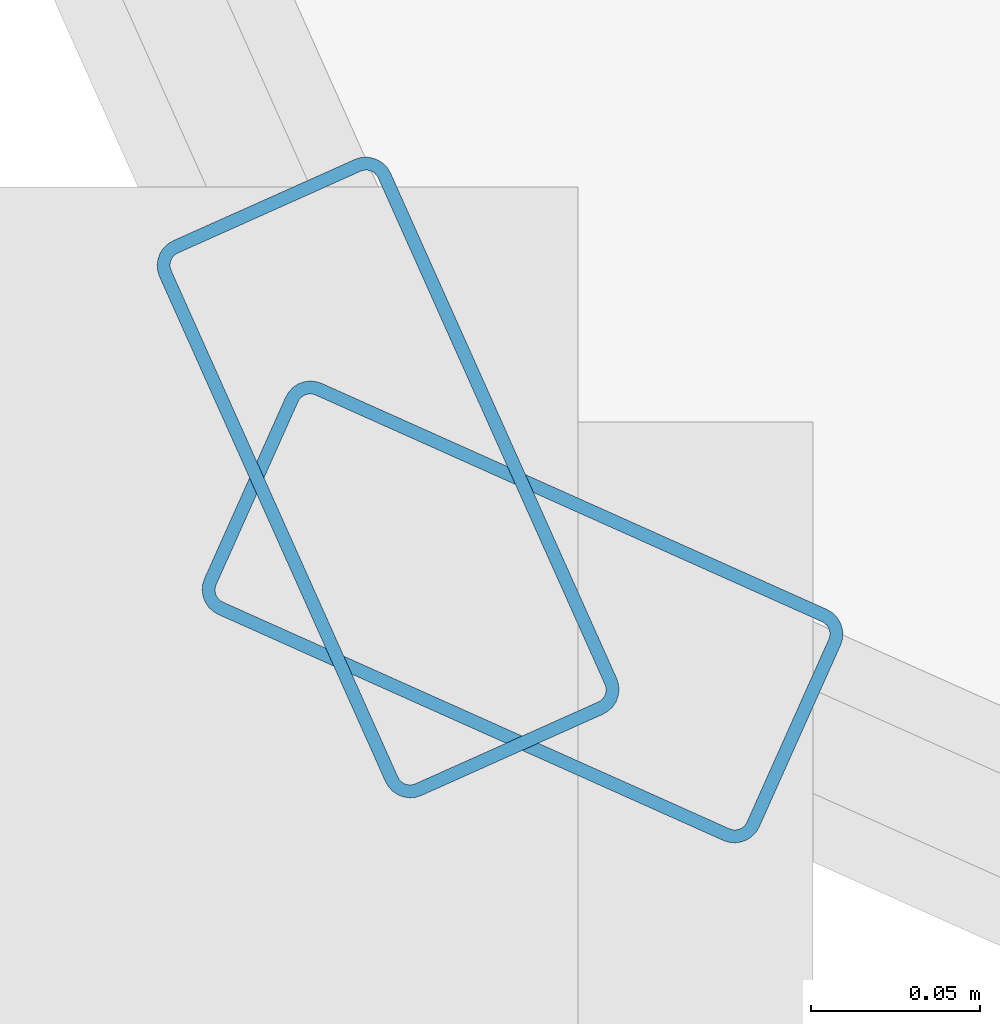
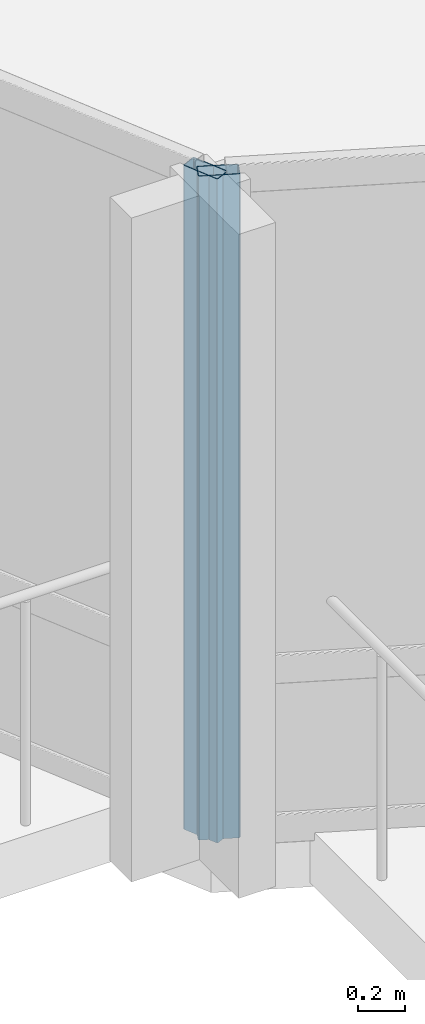
# One storey, part 2 of 19: 2 members, 2 elements without a shape of their own.
"""IFC4 building model written with IfcOpenShell, lengths in metres."""

from ifc_helpers import new_model, si_unit, direction, frame, origin, origin_2d, place, context, subcontext, project, spatial, hollow_rectangle, extrude, material, layer, layer_set, material_profile, profile_set, type_object, element, aggregate, save


model = new_model("IFC4")

# Units and contexts
model_context = context("Model", 3, precision=1e-05, world=origin(), true_north=direction((0.0, 1.0)))
body_context = subcontext(model_context, "Body", "Model", "MODEL_VIEW")
ifc_project = project(units=[si_unit("LENGTHUNIT", "METRE"), si_unit("AREAUNIT", "SQUARE_METRE"), si_unit("VOLUMEUNIT", "CUBIC_METRE"), si_unit("PLANEANGLEUNIT", "RADIAN"), si_unit("MASSUNIT", "GRAM", prefix="KILO")], contexts=[model_context])

# Site, building, storey
site_placement = place(None, origin())
site = spatial("IfcSite", under=ifc_project, at=site_placement, CompositionType="ELEMENT")
building_placement = place(site_placement, origin())
building = spatial("IfcBuilding", under=site, at=building_placement, Name="Solvaryn Broadcast Tower", CompositionType="ELEMENT")
storey_placement = place(building_placement, frame((0.0, 0.0, 263.0)))
storey = spatial("IfcBuildingStorey", under=building, at=storey_placement, Name="L66", CompositionType="ELEMENT", Elevation=263.0)

# Curtain wall, member
ifc_material_1 = material(Name="Aluminium and Terracotta Unitised Curtain Wall", Category="masonry")
ifc_layer = layer(ifc_material_1, 0.199951171875)
ifc_layer_set = layer_set([ifc_layer], Name="CW-SYS2-LOWMID")
curtain_wall_type = type_object("IfcCurtainWallType", Name="CW-SYS2-LOWMID", PredefinedType="NOTDEFINED", material=ifc_layer_set)
curtain_wall_1_placement = place(storey_placement, origin())
curtain_wall_1 = element("IfcCurtainWall", 1, at=curtain_wall_1_placement, inside=storey, type_object=curtain_wall_type, Name="L66 Curtain Wall DR2", PredefinedType="NOTDEFINED")
ifc_material_2 = material(Name="Anodised Aluminium 6063-T6", Category="aluminium")
ifc_material_profile = material_profile(ifc_material_2, hollow_rectangle(XDim=0.074951171875, YDim=0.179931640625, WallThickness=0.00390625, InnerFilletRadius=0.00390625, OuterFilletRadius=0.008056640625, at=origin_2d()))
ifc_profile_set = profile_set([ifc_material_profile], Name="Anodised Aluminium 6063-T6")
member_type = type_object("IfcMemberType", Name="CW-MUL-180", PredefinedType="MULLION", material=ifc_profile_set)
member_1_placement = place(storey_placement, frame((10.8046875, 10.844482421875, 0.0), z_axis=(0.0, 0.0, 1.0), x_axis=(0.912773530574, 0.408466010682, 0.0)))
member_1 = element("IfcMember", 2, at=member_1_placement, type_object=member_type, Name="CWS2 mullion 2", PredefinedType="MULLION", context=body_context, shape_type="SweptSolid", body=[
    extrude(hollow_rectangle(XDim=0.074951171875, YDim=0.179931640625, WallThickness=0.00390625, InnerFilletRadius=0.00390625, OuterFilletRadius=0.008056640625, at=origin_2d()), origin(), (0.0, 0.0, 1.0), 3.419921875),
])
aggregate(curtain_wall_1, [member_1])

curtain_wall_2_placement = place(storey_placement, origin())
curtain_wall_2 = element("IfcCurtainWall", 3, at=curtain_wall_2_placement, inside=storey, type_object=curtain_wall_type, Name="L66 Curtain Wall DR3", PredefinedType="NOTDEFINED")
member_2_placement = place(storey_placement, frame((10.844482421875, 10.8046875, 0.0), z_axis=(0.0, 0.0, 1.0), x_axis=(0.408466010682, 0.912773530574, 0.0)))
member_2 = element("IfcMember", 4, at=member_2_placement, type_object=member_type, Name="CWS2 mullion 1", PredefinedType="MULLION", context=body_context, shape_type="SweptSolid", body=[
    extrude(hollow_rectangle(XDim=0.074951171875, YDim=0.179931640625, WallThickness=0.00390625, InnerFilletRadius=0.00390625, OuterFilletRadius=0.008056640625, at=origin_2d()), origin(), (0.0, 0.0, 1.0), 3.419921875),
])
aggregate(curtain_wall_2, [member_2])

save(model, "model.ifc")
